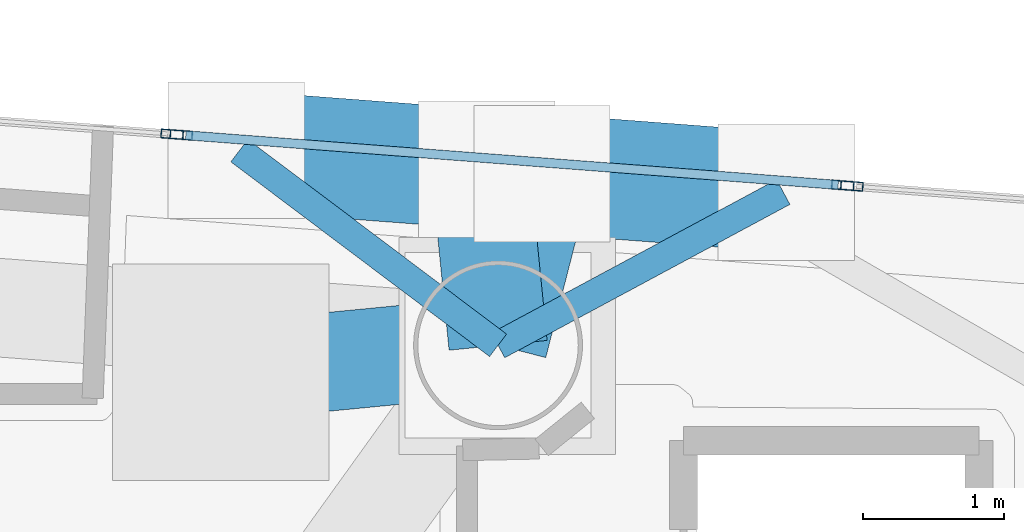
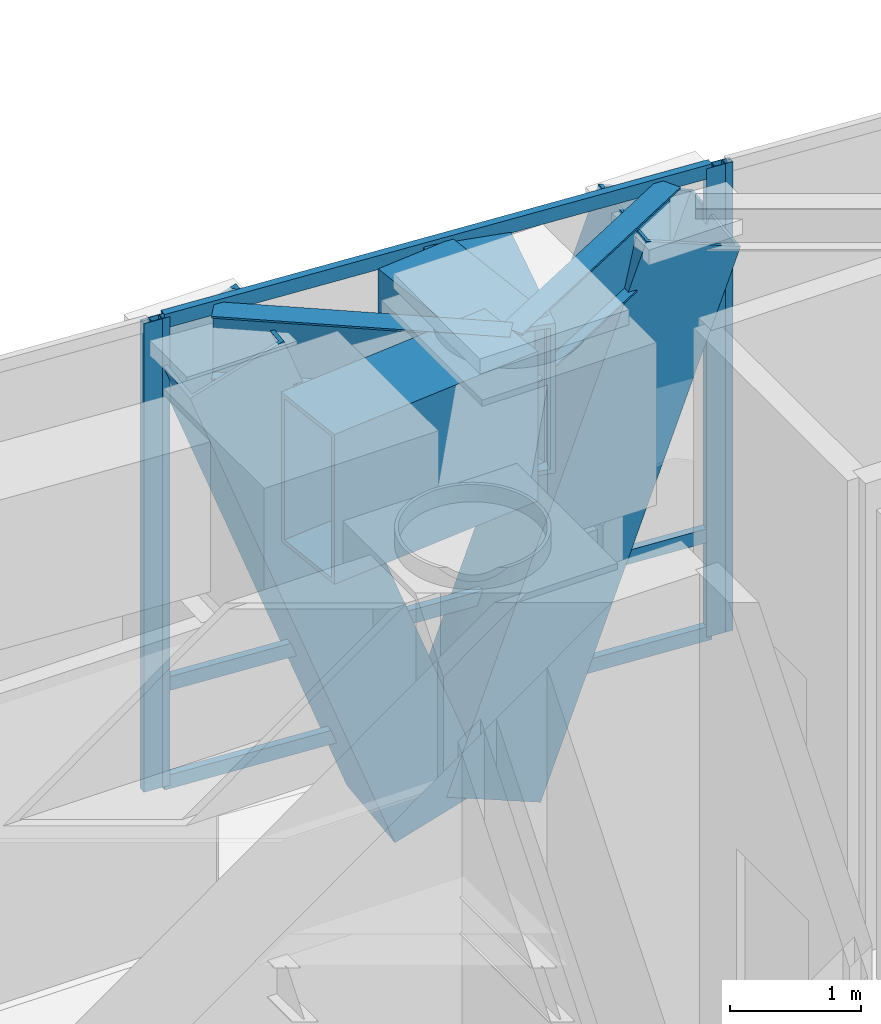
# One storey, part 12 of 20: 9 members, 5 beams, 3 elements without a shape of their own.
"""IFC4 building model written with IfcOpenShell, lengths in metres."""

import ifcopenshell
import ifcopenshell.guid

model = None  # the IFC model being written
_history = None  # IfcOwnerHistory: only IFC2X3 demands one
_inside = {}  # id of a spatial element -> (the spatial element, [elements in it])
_under = {}  # id of a project, library or spatial element -> (it, [spatial elements below it])
_declared = {}  # id of a project -> (the project, [libraries it declares])
_typed = {}  # id of a type object -> (the type object, [elements of that type])
_made_of = {}  # id of a material, layer set ... -> (it, [elements and type objects made of it])


def new_model(schema):
    """Start an empty IFC model of exactly this schema.

    Asked for "IFC4X3", IfcOpenShell would pick the latest addendum, in which some entities
    have other attributes; the version numbers below select the first issue.
    IFC2X3 requires an IfcOwnerHistory on every rooted entity: one is made here for all.
    """
    global model, _history
    if schema == "IFC4X3":
        model = ifcopenshell.file(schema_version=(4, 3, 0, 0))
    else:
        model = ifcopenshell.file(schema=schema)
    _inside.clear()
    _under.clear()
    _declared.clear()
    _typed.clear()
    _made_of.clear()
    _history = None
    if model.schema == "IFC2X3":
        org = make("IfcOrganization", Name="unknown")
        user = make(
            "IfcPersonAndOrganization",
            ThePerson=make("IfcPerson", FamilyName="unknown"),
            TheOrganization=org,
        )
        app = make(
            "IfcApplication",
            ApplicationDeveloper=org,
            Version="unknown",
            ApplicationFullName="unknown",
            ApplicationIdentifier="unknown",
        )
        _history = make(
            "IfcOwnerHistory",
            OwningUser=user,
            OwningApplication=app,
            ChangeAction="ADDED",
            CreationDate=0,
        )
    return model


def make(cls, **values):
    """One entity of the class cls with the attributes given. An attribute that is None is left unset."""
    return model.create_entity(
        cls, **{name: value for name, value in values.items() if value is not None}
    )


def rooted(cls, **values):
    """An entity with a GlobalId (a new one), such as an element, a storey or a relation."""
    return make(cls, GlobalId=ifcopenshell.guid.new(), OwnerHistory=_history, **values)


def si_unit(unit_type, name, prefix=None):
    """IfcSIUnit, for example si_unit("LENGTHUNIT", "METRE", prefix="MILLI")."""
    return make("IfcSIUnit", UnitType=unit_type, Prefix=prefix, Name=name)


def assignment(units):
    """IfcUnitAssignment: the units of a project."""
    return None if units is None else make("IfcUnitAssignment", Units=units)


def point(xyz):
    """IfcCartesianPoint."""
    return None if xyz is None else make("IfcCartesianPoint", Coordinates=xyz)


def direction(xyz):
    """IfcDirection."""
    return None if xyz is None else make("IfcDirection", DirectionRatios=xyz)


def frame(location, z_axis=None, x_axis=None):
    """IfcAxis2Placement3D, a coordinate frame: its origin and axes. An axis left out is left unset."""
    return make(
        "IfcAxis2Placement3D",
        Location=point(location),
        Axis=direction(z_axis),
        RefDirection=direction(x_axis),
    )


def frame_2d(location, x_axis=None):
    """IfcAxis2Placement2D, a coordinate frame in the plane: its origin and x axis."""
    return make(
        "IfcAxis2Placement2D", Location=point(location), RefDirection=direction(x_axis)
    )


def origin():
    """The frame at (0, 0, 0) with its axes left unset."""
    return frame((0.0, 0.0, 0.0))


def origin_2d():
    """The frame at (0, 0) in the plane with its x axis left unset."""
    return frame_2d((0.0, 0.0))


def place(relative_to, where):
    """IfcLocalPlacement: puts the frame where relative to a parent placement (None: the world)."""
    return make(
        "IfcLocalPlacement", PlacementRelTo=relative_to, RelativePlacement=where
    )


def context(
    kind, dimensions, precision=None, world=None, true_north=None, identifier=None
):
    """IfcGeometricRepresentationContext, for example the 3D "Model" context."""
    return make(
        "IfcGeometricRepresentationContext",
        ContextIdentifier=identifier,
        ContextType=kind,
        CoordinateSpaceDimension=dimensions,
        Precision=precision,
        WorldCoordinateSystem=world,
        TrueNorth=true_north,
    )


def subcontext(parent, identifier, kind, view, scale=None):
    """IfcGeometricRepresentationSubContext, for example "Body" below "Model"."""
    return make(
        "IfcGeometricRepresentationSubContext",
        ContextIdentifier=identifier,
        ContextType=kind,
        ParentContext=parent,
        TargetScale=scale,
        TargetView=view,
    )


def project(units=None, contexts=None):
    """IfcProject with its units and contexts."""
    return rooted(
        "IfcProject",
        Name="project",
        RepresentationContexts=contexts,
        UnitsInContext=assignment(units),
    )


def spatial(cls, under=None, at=None, **own):
    """A site, building, storey or space (cls), placed at a placement, below another one or the project."""
    s = rooted(cls, ObjectPlacement=at, **own)
    if under is not None:
        _under.setdefault(under.id(), (under, []))[1].append(s)
    return s


def profile(cls, at=None, kind="AREA", **sizes):
    """A parametric profile (cls). Its sizes go by their IFC names, for example OverallWidth=200.0."""
    return make(cls, ProfileType=kind, Position=at, **sizes)


def hollow_rectangle(**sizes):
    """IfcRectangleHollowProfileDef."""
    return profile("IfcRectangleHollowProfileDef", **sizes)


def i_section(**sizes):
    """IfcIShapeProfileDef."""
    return profile("IfcIShapeProfileDef", **sizes)


def extrude(swept, where, along, depth):
    """IfcExtrudedAreaSolid: the profile swept, set in the frame where, extruded along a direction by depth."""
    return make(
        "IfcExtrudedAreaSolid",
        SweptArea=swept,
        Position=where,
        ExtrudedDirection=direction(along),
        Depth=depth,
    )


def shape(context_of_items, identifier, shape_type, items):
    """IfcShapeRepresentation: the items that make up one representation, for example the "Body"."""
    return make(
        "IfcShapeRepresentation",
        ContextOfItems=context_of_items,
        RepresentationIdentifier=identifier,
        RepresentationType=shape_type,
        Items=items,
    )


def material(Name=None, Category=None):
    """IfcMaterial."""
    return make("IfcMaterial", Name=Name, Category=Category)


def layer(
    of_material, thickness, ventilated=None, Name=None, Category=None, Priority=None
):
    """IfcMaterialLayer: one layer of a wall or slab, of a material (None: an air gap)."""
    return make(
        "IfcMaterialLayer",
        Material=of_material,
        LayerThickness=thickness,
        IsVentilated=ventilated,
        Name=Name,
        Category=Category,
        Priority=Priority,
    )


def layer_set(layers, Name=None):
    """IfcMaterialLayerSet."""
    return make("IfcMaterialLayerSet", MaterialLayers=layers, LayerSetName=Name)


def material_profile(
    of_material, cross_section, Name=None, Category=None, Priority=None
):
    """IfcMaterialProfile: a cross section and its material."""
    return make(
        "IfcMaterialProfile",
        Name=Name,
        Material=of_material,
        Profile=cross_section,
        Priority=Priority,
        Category=Category,
    )


def profile_set(profiles, Name=None, composite=None):
    """IfcMaterialProfileSet."""
    return make(
        "IfcMaterialProfileSet",
        Name=Name,
        MaterialProfiles=profiles,
        CompositeProfile=composite,
    )


def made_of(thing, what):
    """Note that an element or type object is made of a material, layer set ...; save() writes the relation."""
    if what is not None:
        _made_of.setdefault(what.id(), (what, []))[1].append(thing)
    return thing


def type_object(cls, material=None, **own):
    """A type object (cls), such as IfcWallType, which elements share."""
    return made_of(rooted(cls, **own), material)


def element(
    cls,
    number,
    at=None,
    inside=None,
    cuts=None,
    type_object=None,
    material=None,
    context=None,
    identifier="Body",
    shape_type=None,
    held_by="IfcProductDefinitionShape",
    body=None,
    shapes=None,
    **own,
):
    """One element of the class cls, such as IfcWall. Its Tag is "e" and its number.

    at: its placement. inside: the storey or other place that contains it. cuts: it is an
    opening in that element (IfcRelVoidsElement). A single representation is given by context,
    identifier, shape_type and body (its items); several are given by shapes. held_by: the class
    of the entity that holds the representations. save() writes the other relations.
    """
    e = rooted(cls, Tag="e%d" % number, ObjectPlacement=at, **own)
    if body is not None:
        shapes = [shape(context, identifier, shape_type, body)]
    if shapes is not None:
        e.Representation = make(held_by, Representations=shapes)
    if inside is not None:
        _inside.setdefault(inside.id(), (inside, []))[1].append(e)
    if cuts is not None:
        rooted(
            "IfcRelVoidsElement", RelatingBuildingElement=cuts, RelatedOpeningElement=e
        )
    if type_object is not None:
        _typed.setdefault(type_object.id(), (type_object, []))[1].append(e)
    return made_of(e, material)


def aggregate(whole, parts):
    """IfcRelAggregates: a whole, such as a stair, and the parts it consists of."""
    return rooted("IfcRelAggregates", RelatingObject=whole, RelatedObjects=parts)


def save(model, path):
    """Write the relations noted so far, then the file.

    IfcRelAggregates (storeys below a building ...), IfcRelContainedInSpatialStructure (elements
    in a storey), IfcRelDefinesByType, IfcRelAssociatesMaterial and IfcRelDeclares: one each for
    every whole, place, type object, material and project.
    """
    for whole, parts in _under.values():
        aggregate(whole, parts)
    for where, things in _inside.values():
        rooted(
            "IfcRelContainedInSpatialStructure",
            RelatedElements=things,
            RelatingStructure=where,
        )
    for kind, things in _typed.values():
        rooted("IfcRelDefinesByType", RelatedObjects=things, RelatingType=kind)
    for what, things in _made_of.values():
        rooted("IfcRelAssociatesMaterial", RelatedObjects=things, RelatingMaterial=what)
    for by, libraries in _declared.values():
        rooted("IfcRelDeclares", RelatingContext=by, RelatedDefinitions=libraries)
    model.write(path)


model = new_model("IFC4")

# Units and contexts
model_context = context("Model", 3, precision=1e-05, world=origin(), true_north=direction((0.0, 1.0)))
body_context = subcontext(model_context, "Body", "Model", "MODEL_VIEW")
ifc_project = project(units=[si_unit("LENGTHUNIT", "METRE"), si_unit("AREAUNIT", "SQUARE_METRE"), si_unit("VOLUMEUNIT", "CUBIC_METRE"), si_unit("PLANEANGLEUNIT", "RADIAN"), si_unit("MASSUNIT", "GRAM", prefix="KILO")], contexts=[model_context])

# Site, building, storey
site_placement = place(None, origin())
site = spatial("IfcSite", under=ifc_project, at=site_placement, CompositionType="ELEMENT")
building_placement = place(site_placement, origin())
building = spatial("IfcBuilding", under=site, at=building_placement, Name="Qianvela Tower", CompositionType="ELEMENT")
storey_placement = place(building_placement, frame((0.0, 0.0, 229.89990234375)))
storey = spatial("IfcBuildingStorey", under=building, at=storey_placement, Name="L59", CompositionType="ELEMENT", Elevation=229.89990234375)

# Beams
ifc_material_1 = material(Name="Steel Q355B", Category="steel")
ifc_material_profile_1 = material_profile(ifc_material_1, i_section(OverallWidth=0.199951171875, OverallDepth=0.60009765625, WebThickness=0.010986328125, FlangeThickness=0.01708984375, at=origin_2d()), Name="HN600x200x11x17")
ifc_profile_set_1 = profile_set([ifc_material_profile_1], Name="Steel Q355B")
beam_type_1 = type_object("IfcBeamType", Name="BM-HN600-GIRD", PredefinedType="BEAM", material=ifc_profile_set_1)
for number, where, z_axis, x_axis, name in (
    (1, (40.131103515625, 35.9580078125, 4.078125), (0.880818314037, 0.473454430392, 0.0), (-0.473454430392, 0.880818314037, 0.0), "L59 Mega-Brace Column Tie Bracket F1-1"),
    (2, (40.131103515625, 35.9580078125, 4.078125), (-0.799031465662, 0.601289212344, 0.0), (-0.601289212344, -0.799031465662, 0.0), "L59 Mega-Brace Column Tie Bracket F1-2"),
):
    element("IfcBeam", number, at=place(storey_placement, frame(where, z_axis=z_axis, x_axis=x_axis)), inside=storey, type_object=beam_type_1, Name=name, PredefinedType="BEAM", context=body_context, shape_type="SweptSolid", body=[
        extrude(i_section(OverallWidth=0.199951171875, OverallDepth=0.60009765625, WebThickness=0.010986328125, FlangeThickness=0.01708984375, at=origin_2d()), origin(), (0.0, 0.0, 1.0), 2.30126953125),
    ])
ifc_material_2 = material(Name="Steel Q420GJC", Category="steel")
ifc_material_profile_2 = material_profile(ifc_material_2, hollow_rectangle(XDim=0.699951171875, YDim=1.39990234375, WallThickness=0.0400390625, at=origin_2d()), Name="TG-BOX-1400x700x40")
ifc_profile_set_2 = profile_set([ifc_material_profile_2], Name="Steel Q420GJC")
beam_type_2 = type_object("IfcBeamType", Name="BM-TG-STEP-1400", PredefinedType="BEAM", material=ifc_profile_set_2)
for number, where, z_axis, x_axis, name in (
    (3, (40.131103515625, 35.9580078125, 3.675048828125), (0.248869622154, 0.968536995251, 0.0), (-0.968536995251, 0.248869622154, 0.0), "L59 Mega-Brace Zone Base Bracket F1-1"),
    (4, (40.131103515625, 35.9580078125, 3.675048828125), (-0.099446139016, 0.995042946528, 0.0), (-0.995042946528, -0.099446139016, 0.0), "L59 Mega-Brace Zone Base Bracket F1-2"),
):
    element("IfcBeam", number, at=place(storey_placement, frame(where, z_axis=z_axis, x_axis=x_axis)), inside=storey, type_object=beam_type_2, Name=name, PredefinedType="BEAM", context=body_context, shape_type="SweptSolid", body=[
        extrude(hollow_rectangle(XDim=0.699951171875, YDim=1.39990234375, WallThickness=0.0400390625, at=origin_2d()), origin(), (0.0, 0.0, 1.0), 1.259521484375),
    ])
beam_placement = place(storey_placement, frame((40.131103515625, 35.9580078125, 3.677978515625), z_axis=(-0.995319602933, -0.096637922252, 0.0), x_axis=(0.096637922252, -0.995319602933, 0.0)))
element("IfcBeam", 5, at=beam_placement, inside=storey, type_object=beam_type_2, Name="L59 Zone-Step Transfer Girder 2", PredefinedType="BEAM", context=body_context, shape_type="SweptSolid", body=[
    extrude(hollow_rectangle(XDim=0.699951171875, YDim=1.39990234375, WallThickness=0.0400390625, at=origin_2d()), origin(), (0.0, 0.0, 1.0), 1.9150390625),
])

# Curtain wall, members
ifc_material_3 = material(Name="Anodised Architectural Aluminium and Insulated Spandrel Panel", Category="aluminium")
ifc_layer_1 = layer(ifc_material_3, 0.179931640625)
ifc_layer_set_1 = layer_set([ifc_layer_1], Name="Anodised Architectural Aluminium and Insulated Spandrel Panel")
curtain_wall_type_1 = type_object("IfcCurtainWallType", Name="CW-BRACEBAY", PredefinedType="USERDEFINED", material=ifc_layer_set_1)
curtain_wall_1_placement = place(storey_placement, origin())
curtain_wall_1 = element("IfcCurtainWall", 6, at=curtain_wall_1_placement, inside=storey, type_object=curtain_wall_type_1, Name="L59 CW-BRACEBAY Curtain Wall 02B", ObjectType="CURTAIN_WALL_SYSTEM", PredefinedType="USERDEFINED")
ifc_material_4 = material(Name="Anodised Architectural Aluminium 6063-T6", Category="aluminium")
ifc_material_profile_3 = material_profile(ifc_material_4, hollow_rectangle(XDim=0.06494140625, YDim=0.159912109375, WallThickness=0.0048828125, at=origin_2d()), Name="ALU-MULL-65x160")
ifc_profile_set_3 = profile_set([ifc_material_profile_3], Name="Anodised Architectural Aluminium 6063-T6")
member_type_1 = type_object("IfcMemberType", Name="CW-BRACEBAY-MULL", PredefinedType="MULLION", material=ifc_profile_set_3)
member_1_placement = place(storey_placement, frame((42.580810546875, 37.095458984375, 0.0), z_axis=(0.0, 0.0, 1.0), x_axis=(-0.075899770469, -0.997115452113, 0.0)))
member_1 = element("IfcMember", 7, at=member_1_placement, type_object=member_type_1, Name="CW-9 mullion 1", PredefinedType="MULLION", context=body_context, shape_type="SweptSolid", body=[
    extrude(hollow_rectangle(XDim=0.06494140625, YDim=0.159912109375, WallThickness=0.0048828125, at=origin_2d()), origin(), (0.0, 0.0, 1.0), 4.380126953125),
])
member_2_placement = place(storey_placement, frame((37.87939453125, 37.453369140625, 0.0), z_axis=(0.0, 0.0, 1.0), x_axis=(-0.075899770469, -0.997115452113, 0.0)))
member_2 = element("IfcMember", 8, at=member_2_placement, type_object=member_type_1, Name="CW-9 mullion 2", PredefinedType="MULLION", context=body_context, shape_type="SweptSolid", body=[
    extrude(hollow_rectangle(XDim=0.06494140625, YDim=0.159912109375, WallThickness=0.0048828125, at=origin_2d()), origin(), (0.0, 0.0, 1.0), 4.380126953125),
])
ifc_material_5 = material(Name="Anodised Architectural Aluminium 6063-T6", Category="aluminium")
ifc_material_profile_4 = material_profile(ifc_material_5, hollow_rectangle(XDim=0.06494140625, YDim=0.1298828125, WallThickness=0.00439453125, at=origin_2d()), Name="ALU-TRAN-65x130")
ifc_profile_set_4 = profile_set([ifc_material_profile_4], Name="Anodised Architectural Aluminium 6063-T6")
member_type_2 = type_object("IfcMemberType", Name="CW-BRACEBAY-TRAN", PredefinedType="USERDEFINED", material=ifc_profile_set_4)
member_3_placement = place(storey_placement, frame((42.54833984375, 37.097900390625, 0.03271484375), z_axis=(-0.997113792475, 0.075921570424, 0.0), x_axis=(-0.075921570424, -0.997113792475, 0.0)))
member_3 = element("IfcMember", 9, at=member_3_placement, type_object=member_type_2, Name="CW-9 transom 1.1", ObjectType="TRANSOM", PredefinedType="USERDEFINED", context=body_context, shape_type="SweptSolid", body=[
    extrude(hollow_rectangle(XDim=0.06494140625, YDim=0.1298828125, WallThickness=0.00439453125, at=origin_2d()), origin(), (0.0, 0.0, 1.0), 4.64990234375),
])
member_4_placement = place(storey_placement, frame((42.54833984375, 37.097900390625, 0.9501953125), z_axis=(-0.997113792475, 0.075921570424, 0.0), x_axis=(-0.075921570424, -0.997113792475, 0.0)))
member_4 = element("IfcMember", 10, at=member_4_placement, type_object=member_type_2, Name="CW-9 transom 1.2", ObjectType="TRANSOM", PredefinedType="USERDEFINED", context=body_context, shape_type="SweptSolid", body=[
    extrude(hollow_rectangle(XDim=0.06494140625, YDim=0.1298828125, WallThickness=0.00439453125, at=origin_2d()), origin(), (0.0, 0.0, 1.0), 4.64990234375),
])
member_5_placement = place(storey_placement, frame((42.54833984375, 37.097900390625, 4.34765625), z_axis=(-0.997113792475, 0.075921570424, 0.0), x_axis=(-0.075921570424, -0.997113792475, 0.0)))
member_5 = element("IfcMember", 11, at=member_5_placement, type_object=member_type_2, Name="CW-9 transom 1.3", ObjectType="TRANSOM", PredefinedType="USERDEFINED", context=body_context, shape_type="SweptSolid", body=[
    extrude(hollow_rectangle(XDim=0.06494140625, YDim=0.1298828125, WallThickness=0.00439453125, at=origin_2d()), origin(), (0.0, 0.0, 1.0), 4.64990234375),
])
aggregate(curtain_wall_1, [member_1, member_2, member_3, member_4, member_5])

# Curtain wall, member
ifc_material_6 = material(Name="Anodised Architectural Aluminium and Low-E Glass", Category="aluminium")
ifc_layer_2 = layer(ifc_material_6, 0.159912109375)
ifc_layer_set_2 = layer_set([ifc_layer_2], Name="Anodised Architectural Aluminium and Low-E Glass")
curtain_wall_type_2 = type_object("IfcCurtainWallType", Name="CW-COLIV-Z56", PredefinedType="USERDEFINED", material=ifc_layer_set_2)
curtain_wall_2_placement = place(storey_placement, origin())
curtain_wall_2 = element("IfcCurtainWall", 12, at=curtain_wall_2_placement, inside=storey, type_object=curtain_wall_type_2, Name="L59 CW-COLIV-Z56 Curtain Wall 02A", ObjectType="CURTAIN_WALL_SYSTEM", PredefinedType="USERDEFINED")
ifc_material_7 = material(Name="Anodised Architectural Aluminium 6063-T6", Category="aluminium")
ifc_material_profile_5 = material_profile(ifc_material_7, hollow_rectangle(XDim=0.06494140625, YDim=0.159912109375, WallThickness=0.0048828125, at=origin_2d()), Name="ALU-MULL-65x160")
ifc_profile_set_5 = profile_set([ifc_material_profile_5], Name="Anodised Architectural Aluminium 6063-T6")
member_type_3 = type_object("IfcMemberType", Name="CW-COLIV-Z56-MULL", PredefinedType="MULLION", material=ifc_profile_set_5)
member_6_placement = place(storey_placement, frame((42.6455078125, 37.090576171875, 0.0), z_axis=(0.0, 0.0, 1.0), x_axis=(-0.075897826699, -0.99711560007, 0.0)))
member_6 = element("IfcMember", 13, at=member_6_placement, type_object=member_type_3, Name="CW-5 mullion 3", PredefinedType="MULLION", context=body_context, shape_type="SweptSolid", body=[
    extrude(hollow_rectangle(XDim=0.06494140625, YDim=0.159912109375, WallThickness=0.0048828125, at=origin_2d()), origin(), (0.0, 0.0, 1.0), 4.380126953125),
])
aggregate(curtain_wall_2, [member_6])

curtain_wall_3_placement = place(storey_placement, origin())
curtain_wall_3 = element("IfcCurtainWall", 14, at=curtain_wall_3_placement, inside=storey, type_object=curtain_wall_type_2, Name="L59 CW-COLIV-Z56 Curtain Wall 02C", ObjectType="CURTAIN_WALL_SYSTEM", PredefinedType="USERDEFINED")
member_7_placement = place(storey_placement, frame((37.814697265625, 37.458251953125, 0.0), z_axis=(0.0, 0.0, 1.0), x_axis=(-0.075903292234, -0.997115184032, 0.0)))
member_7 = element("IfcMember", 15, at=member_7_placement, type_object=member_type_3, Name="CW-5 mullion 1", PredefinedType="MULLION", context=body_context, shape_type="SweptSolid", body=[
    extrude(hollow_rectangle(XDim=0.06494140625, YDim=0.159912109375, WallThickness=0.0048828125, at=origin_2d()), origin(), (0.0, 0.0, 1.0), 4.380126953125),
])
aggregate(curtain_wall_3, [member_7])

# Members
ifc_material_8 = material(Name="Steel Q420GJC", Category="steel")
ifc_material_profile_6 = material_profile(ifc_material_8, hollow_rectangle(XDim=0.85009765625, YDim=0.85009765625, WallThickness=0.031982421875, at=origin_2d()), Name="MBOX-850x850x32")
ifc_profile_set_6 = profile_set([ifc_material_profile_6], Name="Steel Q420GJC")
member_type_4 = type_object("IfcMemberType", Name="MBR-MBRACE-850", PredefinedType="BRACE", material=ifc_profile_set_6)
member_8_placement = place(storey_placement, frame((40.46533203125, 37.17626953125, -0.601806640625), z_axis=(0.340045537279, -0.025844245478, 0.940053779074), x_axis=(0.07578374589, 0.997124277038, 0.0)))
element("IfcMember", 16, at=member_8_placement, inside=storey, type_object=member_type_4, Name="L59 Tier 10 Exterior Mega-Brace F1A", PredefinedType="BRACE", context=body_context, shape_type="SweptSolid", body=[
    extrude(hollow_rectangle(XDim=0.85009765625, YDim=0.85009765625, WallThickness=0.031982421875, at=origin_2d()), origin(), (0.0, 0.0, 1.0), 4.978271484375),
])
member_9_placement = place(storey_placement, frame((40.026611328125, 37.209716796875, -0.601806640625), z_axis=(-0.347380724061, 0.026454528676, 0.937350943064), x_axis=(-0.075934407782, -0.997112814939, 0.0)))
element("IfcMember", 17, at=member_9_placement, inside=storey, type_object=member_type_4, Name="L59 Tier 10 Exterior Mega-Brace F1B", PredefinedType="BRACE", context=body_context, shape_type="SweptSolid", body=[
    extrude(hollow_rectangle(XDim=0.85009765625, YDim=0.85009765625, WallThickness=0.031982421875, at=origin_2d()), origin(), (0.0, 0.0, 1.0), 4.99267578125),
])

save(model, "model.ifc")
